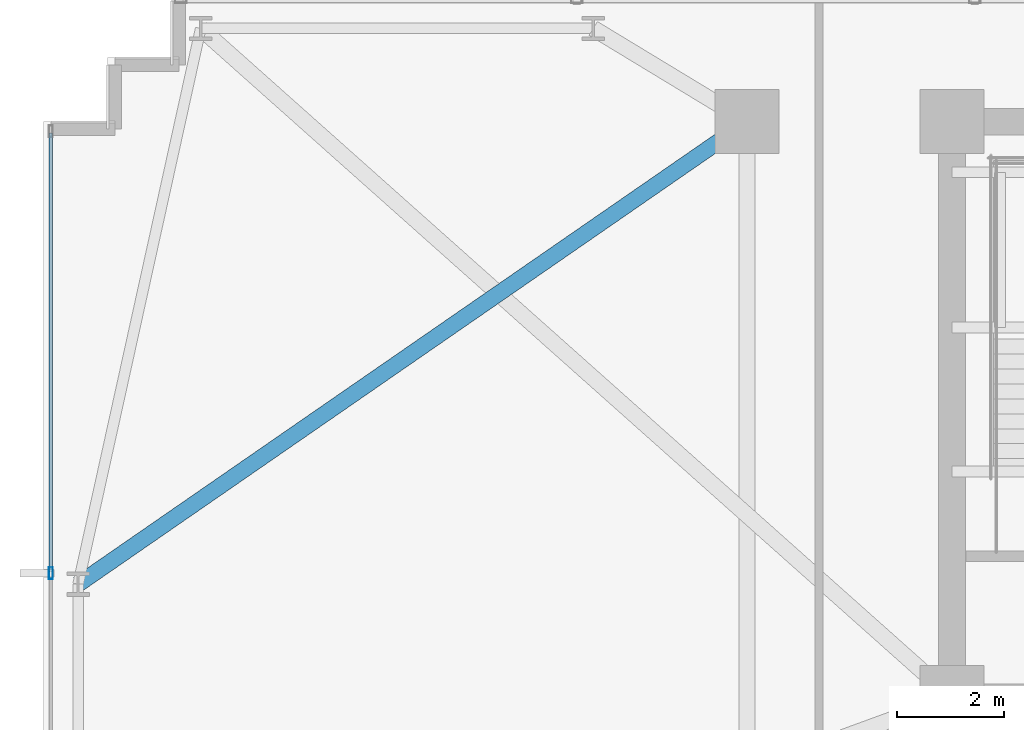
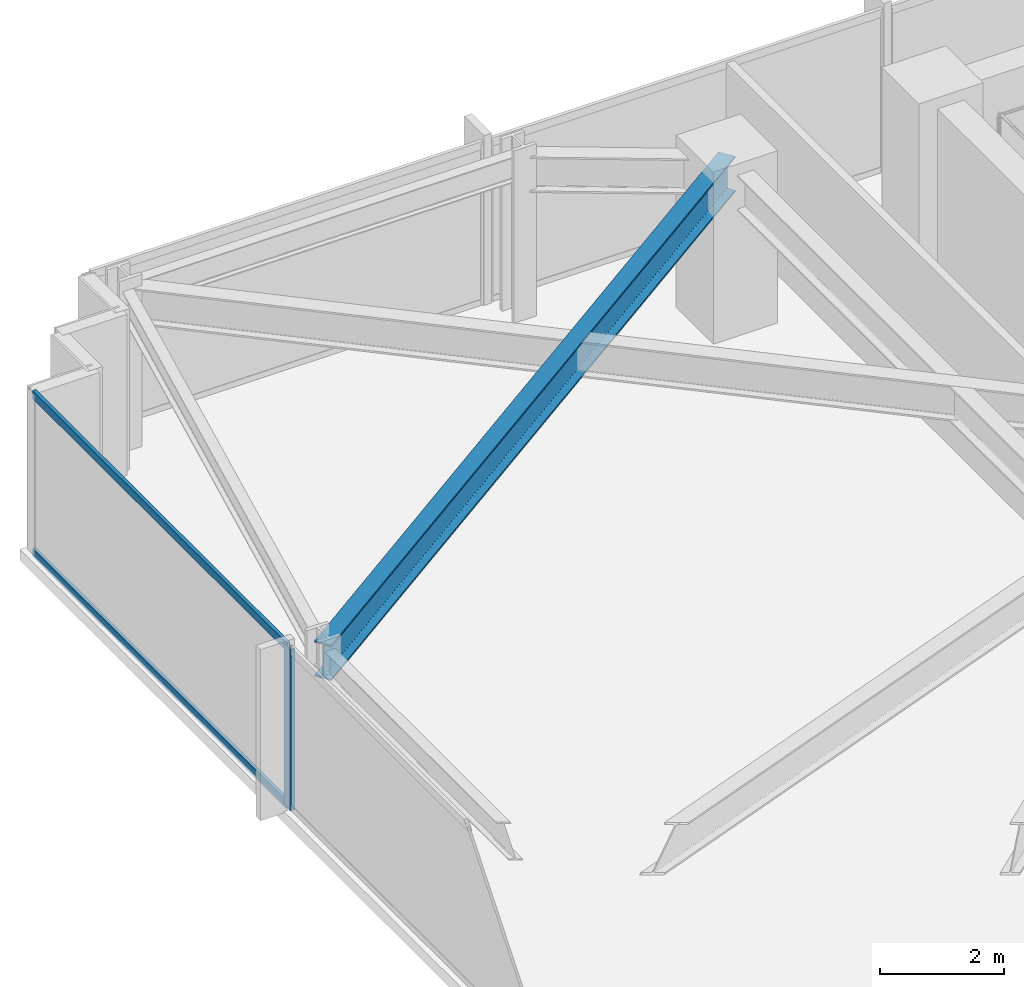
# One storey, part 9 of 32: 3 members, 1 beam, 1 element without a shape of its own.
"""IFC4 building model written with IfcOpenShell, lengths in metres."""

from ifc_helpers import new_model, si_unit, direction, frame, origin, origin_2d, place, context, subcontext, project, spatial, hollow_rectangle, i_section, extrude, material, material_profile, profile_set, type_object, element, aggregate, save


model = new_model("IFC4")

# Units and contexts
model_context = context("Model", 3, precision=1e-05, world=origin(), true_north=direction((0.0, 1.0)))
body_context = subcontext(model_context, "Body", "Model", "MODEL_VIEW")
ifc_project = project(units=[si_unit("LENGTHUNIT", "METRE"), si_unit("AREAUNIT", "SQUARE_METRE"), si_unit("VOLUMEUNIT", "CUBIC_METRE"), si_unit("PLANEANGLEUNIT", "RADIAN"), si_unit("MASSUNIT", "GRAM", prefix="KILO")], contexts=[model_context])

# Site, building, storey
site_placement = place(None, origin())
site = spatial("IfcSite", under=ifc_project, at=site_placement, CompositionType="ELEMENT")
building_placement = place(site_placement, origin())
building = spatial("IfcBuilding", under=site, at=building_placement, Name="Yelkora Congress Tower", CompositionType="ELEMENT")
storey_placement = place(building_placement, frame((0.0, 0.0, 33.800048828125)))
storey = spatial("IfcBuildingStorey", under=building, at=storey_placement, Name="L07", CompositionType="ELEMENT", Elevation=33.800048828125)

# Beam
ifc_material_1 = material(Name="Steel S355J2", Category="steel")
ifc_material_profile_1 = material_profile(ifc_material_1, i_section(OverallWidth=0.300048828125, OverallDepth=0.699951171875, WebThickness=0.01708984375, FlangeThickness=0.031982421875, FilletRadius=0.027099609375, at=origin_2d()), Name="HEB 700")
ifc_profile_set_1 = profile_set([ifc_material_profile_1], Name="Steel S355J2")
beam_type = type_object("IfcBeamType", Name="BM-GIRD-HEB700", PredefinedType="BEAM", material=ifc_profile_set_1)
beam_placement = place(storey_placement, frame((6.64990234375, 37.52490234375, 2.829833984375), z_axis=(0.822604454175, 0.568614027238, 0.0), x_axis=(-0.568614027238, 0.822604454175, 0.0)))
element("IfcBeam", 1, at=beam_placement, inside=storey, type_object=beam_type, Name="L07 Primary Frame Girder W03", PredefinedType="BEAM", context=body_context, shape_type="SweptSolid", body=[
    extrude(i_section(OverallWidth=0.300048828125, OverallDepth=0.699951171875, WebThickness=0.01708984375, FlangeThickness=0.031982421875, FilletRadius=0.027099609375, at=origin_2d()), origin(), (0.0, 0.0, 1.0), 15.256591796875),
])

# Curtain wall, members
ifc_material_2 = material(Name="Anodised aluminium and insulated glass", Category="aluminium")
curtain_wall_type = type_object("IfcCurtainWallType", Name="CW-SYS-B1", PredefinedType="NOTDEFINED", material=ifc_material_2)
curtain_wall_placement = place(storey_placement, origin())
curtain_wall = element("IfcCurtainWall", 2, at=curtain_wall_placement, inside=storey, type_object=curtain_wall_type, Name="L07 Unitised Curtain Wall 5", PredefinedType="NOTDEFINED")
ifc_material_3 = material(Name="Anodised aluminium 6063-T6", Category="aluminium")
ifc_material_profile_2 = material_profile(ifc_material_3, hollow_rectangle(XDim=0.074951171875, YDim=0.219970703125, WallThickness=0.0048828125, at=origin_2d()), Name="ALU 75x220x5")
ifc_profile_set_2 = profile_set([ifc_material_profile_2], Name="Anodised aluminium 6063-T6")
member_type_1 = type_object("IfcMemberType", Name="MEM-ML-B1", PredefinedType="MULLION", material=ifc_profile_set_2)
member_1_placement = place(storey_placement, frame((6.139892578125, 37.72998046875, 0.0), z_axis=(0.0, 0.0, 1.0), x_axis=(-1.0, 0.0, 0.0)))
member_1 = element("IfcMember", 3, at=member_1_placement, type_object=member_type_1, Name="CW-B1 mullion 4", PredefinedType="MULLION", context=body_context, shape_type="SweptSolid", body=[
    extrude(hollow_rectangle(XDim=0.074951171875, YDim=0.219970703125, WallThickness=0.0048828125, at=origin_2d()), origin(), (0.0, 0.0, 1.0), 3.179931640625),
])
ifc_material_profile_3 = material_profile(ifc_material_3, hollow_rectangle(XDim=0.06494140625, YDim=0.159912109375, WallThickness=0.00390625, at=origin_2d()), Name="ALU 65x160x4")
ifc_profile_set_3 = profile_set([ifc_material_profile_3], Name="Anodised aluminium 6063-T6")
member_type_2 = type_object("IfcMemberType", Name="MEM-TR-B1", PredefinedType="USERDEFINED", material=ifc_profile_set_3)
member_2_placement = place(storey_placement, frame((6.139892578125, 37.767578125, 0.032470703125), z_axis=(0.0, 1.0, 0.0), x_axis=(-1.0, 0.0, 0.0)))
member_2 = element("IfcMember", 4, at=member_2_placement, type_object=member_type_2, Name="CW-B1 transom 4.1", ObjectType="TRANSOM", PredefinedType="USERDEFINED", context=body_context, shape_type="SweptSolid", body=[
    extrude(hollow_rectangle(XDim=0.06494140625, YDim=0.159912109375, WallThickness=0.00390625, at=origin_2d()), origin(), (0.0, 0.0, 1.0), 8.217529296875),
])
member_3_placement = place(storey_placement, frame((6.139892578125, 37.767578125, 3.1474609375), z_axis=(0.0, 1.0, 0.0), x_axis=(-1.0, 0.0, 0.0)))
member_3 = element("IfcMember", 5, at=member_3_placement, type_object=member_type_2, Name="CW-B1 transom 4.2", ObjectType="TRANSOM", PredefinedType="USERDEFINED", context=body_context, shape_type="SweptSolid", body=[
    extrude(hollow_rectangle(XDim=0.06494140625, YDim=0.159912109375, WallThickness=0.00390625, at=origin_2d()), origin(), (0.0, 0.0, 1.0), 8.217529296875),
])
aggregate(curtain_wall, [member_1, member_2, member_3])

save(model, "model.ifc")
